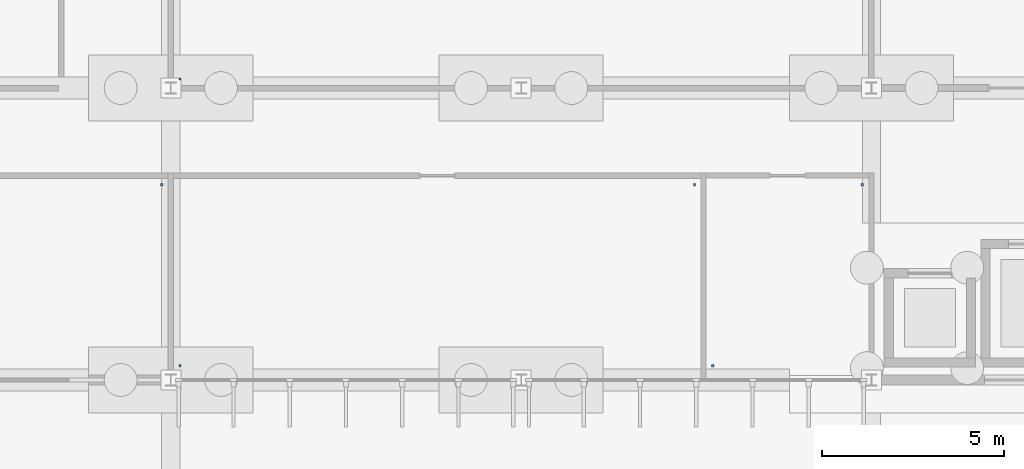
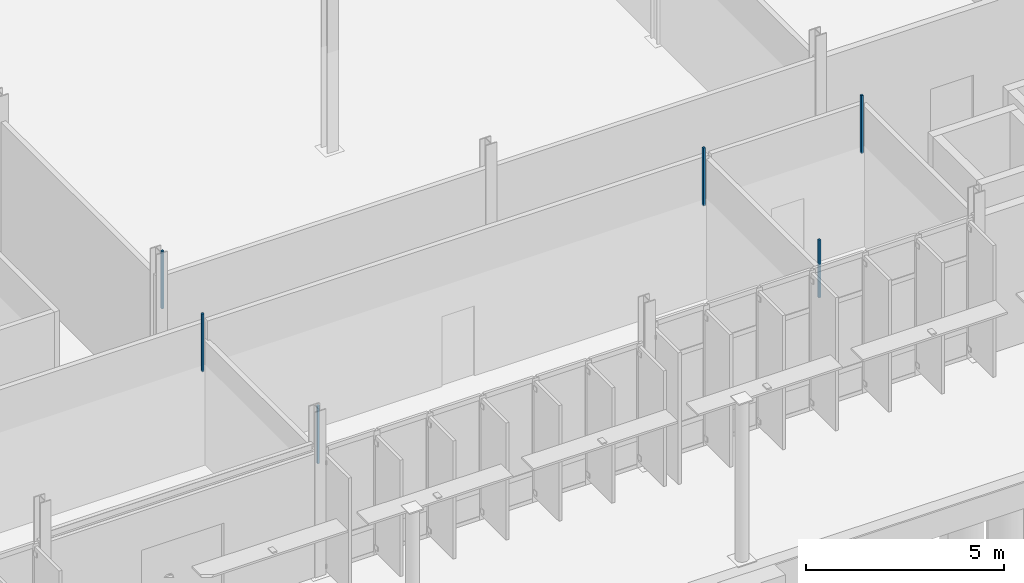
# One storey, part 77 of 111: 6 discrete accessories.
"""IFC4 building model written with IfcOpenShell, lengths in metres."""

from ifc_helpers import new_model, si_unit, direction, frame, origin, place, context, subcontext, project, spatial, polyline, outline, extrude, material, type_object, element, save


model = new_model("IFC4")

# Units and contexts
model_context = context("Model", 3, precision=1e-05, world=origin(), true_north=direction((0.0, 1.0)))
body_context = subcontext(model_context, "Body", "Model", "MODEL_VIEW")
ifc_project = project(units=[si_unit("LENGTHUNIT", "METRE"), si_unit("AREAUNIT", "SQUARE_METRE"), si_unit("VOLUMEUNIT", "CUBIC_METRE"), si_unit("PLANEANGLEUNIT", "RADIAN"), si_unit("MASSUNIT", "GRAM", prefix="KILO")], contexts=[model_context])

# Site, building, storey
site_placement = place(None, origin())
site = spatial("IfcSite", under=ifc_project, at=site_placement, CompositionType="ELEMENT")
building_placement = place(site_placement, origin())
building = spatial("IfcBuilding", under=site, at=building_placement, Name="Dunescarp Central Library", CompositionType="ELEMENT")
storey_placement = place(building_placement, origin())
storey = spatial("IfcBuildingStorey", under=building, at=storey_placement, Name="L00", CompositionType="ELEMENT", Elevation=0.0)

# Discrete accessories
ifc_material = material(Name="Stainless steel Grade 316L", Category="steel")
discrete_accessory_type = type_object("IfcDiscreteAccessoryType", Name="ARC-ACC-BRK", PredefinedType="BRACKET", material=ifc_material)
discrete_accessory_1_placement = place(storey_placement, frame((0.0, 0.0, 3.06005859375)))
element("IfcDiscreteAccessory", 1, at=discrete_accessory_1_placement, inside=storey, type_object=discrete_accessory_type, Name="L00 ceiling hanger CLG-L00-089-H1", PredefinedType="BRACKET", context=body_context, shape_type="SweptSolid", body=[
    extrude(outline(polyline([(112.419921875, 5.159912109375), (112.47998046875, 5.159912109375), (112.47998046875, 5.219970703125), (112.419921875, 5.219970703125), (112.419921875, 5.159912109375)])), origin(), (0.0, 0.0, 1.0), 1.780029296875),
])
discrete_accessory_2_placement = place(storey_placement, frame((0.0, 0.0, 3.06005859375)))
element("IfcDiscreteAccessory", 2, at=discrete_accessory_2_placement, inside=storey, type_object=discrete_accessory_type, Name="L00 ceiling hanger CLG-L00-089-H2", PredefinedType="BRACKET", context=body_context, shape_type="SweptSolid", body=[
    extrude(outline(polyline([(116.52001953125, 10.1201171875), (116.580078125, 10.1201171875), (116.580078125, 10.179931640625), (116.52001953125, 10.179931640625), (116.52001953125, 10.1201171875)])), origin(), (0.0, 0.0, 1.0), 1.780029296875),
])
discrete_accessory_3_placement = place(storey_placement, frame((0.0, 0.0, 3.06005859375)))
element("IfcDiscreteAccessory", 3, at=discrete_accessory_3_placement, inside=storey, type_object=discrete_accessory_type, Name="L00 ceiling hanger CLG-L00-090-H2", PredefinedType="BRACKET", context=body_context, shape_type="SweptSolid", body=[
    extrude(outline(polyline([(97.320068359375, 10.1201171875), (97.3798828125, 10.1201171875), (97.3798828125, 10.179931640625), (97.320068359375, 10.179931640625), (97.320068359375, 10.1201171875)])), origin(), (0.0, 0.0, 1.0), 1.780029296875),
])
discrete_accessory_4_placement = place(storey_placement, frame((0.0, 0.0, 3.06005859375)))
element("IfcDiscreteAccessory", 4, at=discrete_accessory_4_placement, inside=storey, type_object=discrete_accessory_type, Name="L00 ceiling hanger CLG-L00-091-H1", PredefinedType="BRACKET", context=body_context, shape_type="SweptSolid", body=[
    extrude(outline(polyline([(97.820068359375, 5.159912109375), (97.8798828125, 5.159912109375), (97.8798828125, 5.219970703125), (97.820068359375, 5.219970703125), (97.820068359375, 5.159912109375)])), origin(), (0.0, 0.0, 1.0), 1.780029296875),
])
discrete_accessory_5_placement = place(storey_placement, frame((0.0, 0.0, 3.06005859375)))
element("IfcDiscreteAccessory", 5, at=discrete_accessory_5_placement, inside=storey, type_object=discrete_accessory_type, Name="L00 ceiling hanger CLG-L00-091-H2", PredefinedType="BRACKET", context=body_context, shape_type="SweptSolid", body=[
    extrude(outline(polyline([(111.919921875, 10.1201171875), (111.97998046875, 10.1201171875), (111.97998046875, 10.179931640625), (111.919921875, 10.179931640625), (111.919921875, 10.1201171875)])), origin(), (0.0, 0.0, 1.0), 1.780029296875),
])
discrete_accessory_6_placement = place(storey_placement, frame((0.0, 0.0, 3.06005859375)))
element("IfcDiscreteAccessory", 6, at=discrete_accessory_6_placement, inside=storey, type_object=discrete_accessory_type, Name="L00 ceiling hanger CLG-L00-093-H1", PredefinedType="BRACKET", context=body_context, shape_type="SweptSolid", body=[
    extrude(outline(polyline([(97.820068359375, 13.02001953125), (97.8798828125, 13.02001953125), (97.8798828125, 13.080078125), (97.820068359375, 13.080078125), (97.820068359375, 13.02001953125)])), origin(), (0.0, 0.0, 1.0), 1.780029296875),
])

save(model, "model.ifc")
